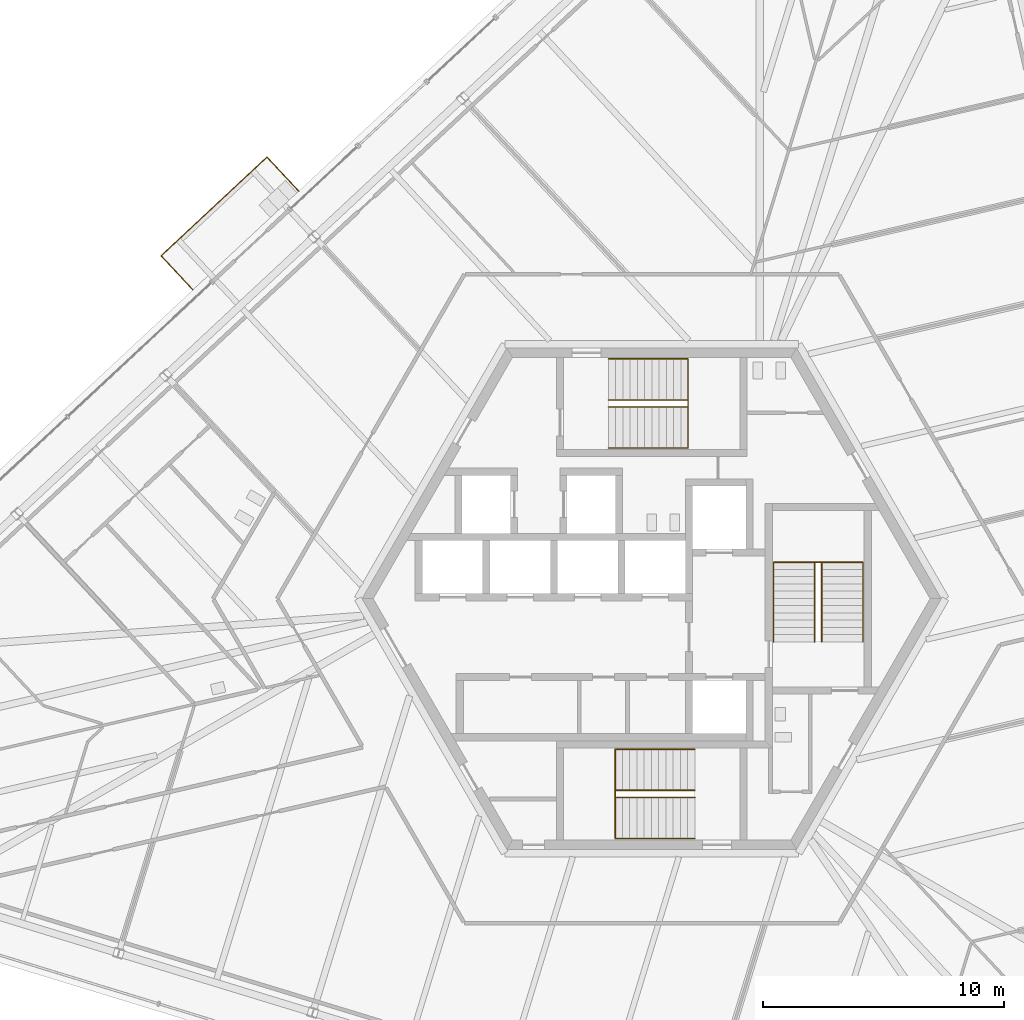
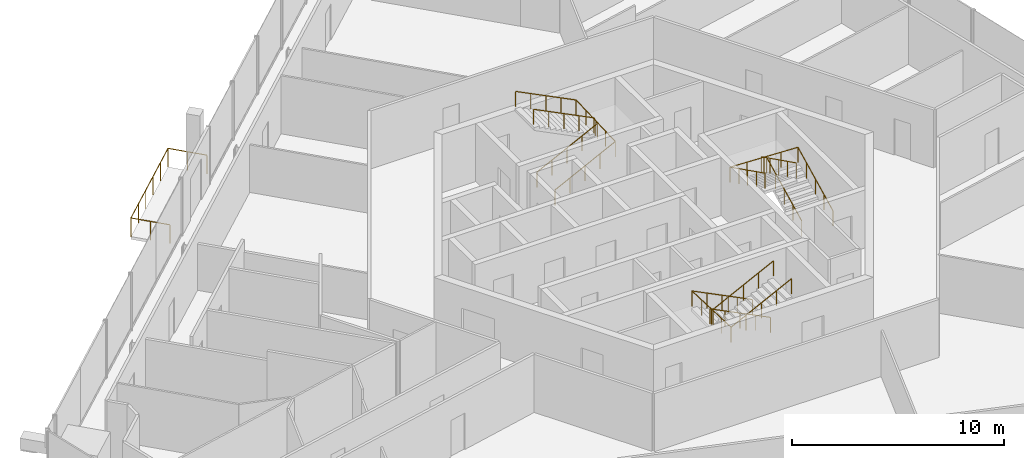
# One storey, part 22 of 25: 7 railings.
"""IFC4 building model written with IfcOpenShell, lengths in metres."""

from ifc_helpers import new_model, si_unit, direction, frame, origin, origin_2d, place, context, subcontext, project, spatial, circle, extrude, source, transform, mapped, material, type_object, element, save


model = new_model("IFC4")

# Units and contexts
model_context = context("Model", 3, precision=1e-05, world=origin(), true_north=direction((0.0, 1.0)))
body_context = subcontext(model_context, "Body", "Model", "MODEL_VIEW")
ifc_project = project(units=[si_unit("LENGTHUNIT", "METRE"), si_unit("AREAUNIT", "SQUARE_METRE"), si_unit("VOLUMEUNIT", "CUBIC_METRE"), si_unit("PLANEANGLEUNIT", "RADIAN"), si_unit("MASSUNIT", "GRAM", prefix="KILO")], contexts=[model_context])

# Site, building, storey
site_placement = place(None, origin())
site = spatial("IfcSite", under=ifc_project, at=site_placement, CompositionType="ELEMENT")
building_placement = place(site_placement, origin())
building = spatial("IfcBuilding", under=site, at=building_placement, Name="Triune Harvest Tower", CompositionType="ELEMENT")
storey_placement = place(building_placement, frame((0.0, 0.0, 130.699951171875)))
storey = spatial("IfcBuildingStorey", under=building, at=storey_placement, Name="L33", CompositionType="ELEMENT", Elevation=130.699951171875)

# Railings
ifc_material_1 = material(Name="Glass", Category="glass")
railing_type_1 = type_object("IfcRailingType", Name="GD-2 balcony guard 1100", PredefinedType="GUARDRAIL", material=ifc_material_1)
railing_1_placement = place(storey_placement, frame((-14.622802734375, 16.888427734375, 0.0)))
element("IfcRailing", 1, at=railing_1_placement, inside=storey, type_object=railing_type_1, Name="Balcony guard B3-F3 L33.7", PredefinedType="GUARDRAIL", context=body_context, shape_type="SweptSolid", body=[
    extrude(circle(Radius=0.02392578125, at=origin_2d()), frame((0.0, 0.0, 1.076171875), z_axis=(-0.682093027089, 0.731265411733, 0.0), x_axis=(-0.731265411733, -0.682093027089, 0.0)), (0.0, 0.0, 1.0), 1.931396484375),
    extrude(circle(Radius=0.02392578125, at=origin_2d()), frame((-1.3173828125, 1.412353515625, 1.076171875), z_axis=(-0.731355602234, -0.681996321897, 0.0), x_axis=(0.681996321897, -0.731355602234, 0.0)), (0.0, 0.0, 1.0), 5.999755859375),
    extrude(circle(Radius=0.02392578125, at=origin_2d()), frame((-5.705322265625, -2.679443359375, 1.076171875), z_axis=(0.681962370145, -0.731387261105, 0.0), x_axis=(0.731387261105, 0.681962370145, 0.0)), (0.0, 0.0, 1.0), 1.931396484375),
    extrude(circle(Radius=0.02099609375, at=origin_2d()), origin(), (0.0, 0.0, 1.0), 1.052001953125),
    extrude(circle(Radius=0.02099609375, at=origin_2d()), frame((-0.65869140625, 0.7060546875, 0.0)), (0.0, 0.0, 1.0), 1.052001953125),
    extrude(circle(Radius=0.02099609375, at=origin_2d()), frame((-1.3173828125, 1.412353515625, 0.0)), (0.0, 0.0, 1.0), 1.052001953125),
    extrude(circle(Radius=0.02099609375, at=origin_2d()), frame((-2.195068359375, 0.593994140625, 0.0)), (0.0, 0.0, 1.0), 1.052001953125),
    extrude(circle(Radius=0.02099609375, at=origin_2d()), frame((-3.072509765625, -0.224365234375, 0.0)), (0.0, 0.0, 1.0), 1.052001953125),
    extrude(circle(Radius=0.02099609375, at=origin_2d()), frame((-3.9501953125, -1.042724609375, 0.0)), (0.0, 0.0, 1.0), 1.052001953125),
    extrude(circle(Radius=0.02099609375, at=origin_2d()), frame((-4.82763671875, -1.861083984375, 0.0)), (0.0, 0.0, 1.0), 1.052001953125),
    extrude(circle(Radius=0.02099609375, at=origin_2d()), frame((-5.705322265625, -2.679443359375, 0.0)), (0.0, 0.0, 1.0), 1.052001953125),
    extrude(circle(Radius=0.02099609375, at=origin_2d()), frame((-5.046875, -3.3857421875, 0.0)), (0.0, 0.0, 1.0), 1.052001953125),
    extrude(circle(Radius=0.02099609375, at=origin_2d()), frame((-4.38818359375, -4.092041015625, 0.0)), (0.0, 0.0, 1.0), 1.052001953125),
])
ifc_material_2 = material(Name="Stainless steel AISI 316", Category="steel")
railing_type_2 = type_object("IfcRailingType", Name="Stair handrail", PredefinedType="HANDRAIL", material=ifc_material_2)
shared_shape_1 = source(origin(), body_context, "Body", "SweptSolid", [
    extrude(circle(Radius=0.02392578125, at=origin_2d()), frame((0.0, 0.0, 0.8759765625), z_axis=(0.894440424912, 0.0, 0.447187126696), x_axis=(0.0, 1.0, 0.0)), (0.0, 0.0, 1.0), 3.689453125),
    extrude(circle(Radius=0.02392578125, at=origin_2d()), frame((3.300048828125, 0.0, 2.52587890625), z_axis=(0.0, 0.999180289278, 0.040481471304), x_axis=(-1.0, 0.0, 0.0)), (0.0, 0.0, 1.0), 3.702880859375),
    extrude(circle(Radius=0.02392578125, at=origin_2d()), frame((3.300048828125, 3.699951171875, 2.67578125), z_axis=(-0.894413956696, 0.0, 0.447240063129), x_axis=(0.0, -1.0, 0.0)), (0.0, 0.0, 1.0), 3.689697265625),
    extrude(circle(Radius=0.02099609375, at=origin_2d()), origin(), (0.0, 0.0, 1.0), 0.851806640625),
    extrude(circle(Radius=0.02099609375, at=origin_2d()), frame((0.824951171875, 0.0, 0.41259765625)), (0.0, 0.0, 1.0), 0.851806640625),
    extrude(circle(Radius=0.02099609375, at=origin_2d()), frame((1.64990234375, 0.0, 0.824951171875)), (0.0, 0.0, 1.0), 0.851806640625),
    extrude(circle(Radius=0.02099609375, at=origin_2d()), frame((2.47509765625, 0.0, 1.2373046875)), (0.0, 0.0, 1.0), 0.851806640625),
    extrude(circle(Radius=0.02099609375, at=origin_2d()), frame((3.300048828125, 0.0, 1.64990234375)), (0.0, 0.0, 1.0), 0.851806640625),
    extrude(circle(Radius=0.02099609375, at=origin_2d()), frame((3.300048828125, 0.925048828125, 1.6875)), (0.0, 0.0, 1.0), 0.851806640625),
    extrude(circle(Radius=0.02099609375, at=origin_2d()), frame((3.300048828125, 1.85009765625, 1.724853515625)), (0.0, 0.0, 1.0), 0.851806640625),
    extrude(circle(Radius=0.02099609375, at=origin_2d()), frame((3.300048828125, 2.77490234375, 1.76220703125)), (0.0, 0.0, 1.0), 0.851806640625),
    extrude(circle(Radius=0.02099609375, at=origin_2d()), frame((3.300048828125, 3.699951171875, 1.7998046875)), (0.0, 0.0, 1.0), 0.851806640625),
    extrude(circle(Radius=0.02099609375, at=origin_2d()), frame((2.47509765625, 3.699951171875, 2.21240234375)), (0.0, 0.0, 1.0), 0.851806640625),
    extrude(circle(Radius=0.02099609375, at=origin_2d()), frame((1.64990234375, 3.699951171875, 2.625)), (0.0, 0.0, 1.0), 0.851806640625),
    extrude(circle(Radius=0.02099609375, at=origin_2d()), frame((0.824951171875, 3.699951171875, 3.037353515625)), (0.0, 0.0, 1.0), 0.851806640625),
    extrude(circle(Radius=0.02099609375, at=origin_2d()), frame((0.0, 3.699951171875, 3.449951171875)), (0.0, 0.0, 1.0), 0.851806640625),
])
railing_2_placement = place(storey_placement, frame((-1.7900390625, 6.239990234375, 0.150146484375)))
element("IfcRailing", 2, at=railing_2_placement, inside=storey, type_object=railing_type_2, Name="Exit stair north wall handrail", PredefinedType="HANDRAIL", context=body_context, shape_type="MappedRepresentation", body=[
    mapped(shared_shape_1, transform((0.0, 0.0, 0.0), scale=1.0)),
])
shared_shape_2 = source(origin(), body_context, "Body", "SweptSolid", [
    extrude(circle(Radius=0.02392578125, at=origin_2d()), frame((0.0, 0.0, 0.8759765625), z_axis=(0.894440424912, 0.0, 0.447187126696), x_axis=(0.0, 1.0, 0.0)), (0.0, 0.0, 1.0), 3.689453125),
    extrude(circle(Radius=0.02392578125, at=origin_2d()), frame((3.300048828125, 0.0, 2.52587890625), z_axis=(0.0, 0.894572720946, 0.446922417137), x_axis=(-1.0, 0.0, 0.0)), (0.0, 0.0, 1.0), 0.33544921875),
    extrude(circle(Radius=0.02392578125, at=origin_2d()), frame((3.300048828125, 0.300048828125, 2.67578125), z_axis=(-0.894413956696, 0.0, 0.447240063129), x_axis=(0.0, -1.0, 0.0)), (0.0, 0.0, 1.0), 3.689697265625),
    extrude(circle(Radius=0.02099609375, at=origin_2d()), origin(), (0.0, 0.0, 1.0), 0.851806640625),
    extrude(circle(Radius=0.02099609375, at=origin_2d()), frame((0.824951171875, 0.0, 0.41259765625)), (0.0, 0.0, 1.0), 0.851806640625),
    extrude(circle(Radius=0.02099609375, at=origin_2d()), frame((1.64990234375, 0.0, 0.824951171875)), (0.0, 0.0, 1.0), 0.851806640625),
    extrude(circle(Radius=0.02099609375, at=origin_2d()), frame((2.47509765625, 0.0, 1.2373046875)), (0.0, 0.0, 1.0), 0.851806640625),
    extrude(circle(Radius=0.02099609375, at=origin_2d()), frame((3.300048828125, 0.0, 1.64990234375)), (0.0, 0.0, 1.0), 0.851806640625),
    extrude(circle(Radius=0.02099609375, at=origin_2d()), frame((3.300048828125, 0.300048828125, 1.7998046875)), (0.0, 0.0, 1.0), 0.851806640625),
    extrude(circle(Radius=0.02099609375, at=origin_2d()), frame((2.47509765625, 0.300048828125, 2.21240234375)), (0.0, 0.0, 1.0), 0.851806640625),
    extrude(circle(Radius=0.02099609375, at=origin_2d()), frame((1.64990234375, 0.300048828125, 2.625)), (0.0, 0.0, 1.0), 0.851806640625),
    extrude(circle(Radius=0.02099609375, at=origin_2d()), frame((0.824951171875, 0.300048828125, 3.037353515625)), (0.0, 0.0, 1.0), 0.851806640625),
    extrude(circle(Radius=0.02099609375, at=origin_2d()), frame((0.0, 0.300048828125, 3.449951171875)), (0.0, 0.0, 1.0), 0.851806640625),
])
railing_3_placement = place(storey_placement, frame((-1.7900390625, 7.93994140625, 0.150146484375)))
element("IfcRailing", 3, at=railing_3_placement, inside=storey, type_object=railing_type_2, Name="Exit stair north centre handrail", PredefinedType="HANDRAIL", context=body_context, shape_type="MappedRepresentation", body=[
    mapped(shared_shape_2, transform((0.0, 0.0, 0.0), scale=1.0)),
])
shared_shape_3 = source(origin(), body_context, "Body", "SweptSolid", [
    extrude(circle(Radius=0.02392578125, at=origin_2d()), frame((0.0, 0.0, 0.8759765625), z_axis=(-0.894440424912, 0.0, 0.447187126696), x_axis=(0.0, -1.0, 0.0)), (0.0, 0.0, 1.0), 3.689453125),
    extrude(circle(Radius=0.02392578125, at=origin_2d()), frame((-3.300048828125, 0.0, 2.52587890625), z_axis=(0.0, -0.999180289278, 0.040481471304), x_axis=(1.0, 0.0, 0.0)), (0.0, 0.0, 1.0), 3.702880859375),
    extrude(circle(Radius=0.02392578125, at=origin_2d()), frame((-3.300048828125, -3.699951171875, 2.67578125), z_axis=(0.894413956696, 0.0, 0.447240063129), x_axis=(0.0, 1.0, 0.0)), (0.0, 0.0, 1.0), 3.689697265625),
    extrude(circle(Radius=0.02099609375, at=origin_2d()), origin(), (0.0, 0.0, 1.0), 0.851806640625),
    extrude(circle(Radius=0.02099609375, at=origin_2d()), frame((-0.824951171875, 0.0, 0.41259765625)), (0.0, 0.0, 1.0), 0.851806640625),
    extrude(circle(Radius=0.02099609375, at=origin_2d()), frame((-1.64990234375, 0.0, 0.824951171875)), (0.0, 0.0, 1.0), 0.851806640625),
    extrude(circle(Radius=0.02099609375, at=origin_2d()), frame((-2.47509765625, 0.0, 1.2373046875)), (0.0, 0.0, 1.0), 0.851806640625),
    extrude(circle(Radius=0.02099609375, at=origin_2d()), frame((-3.300048828125, 0.0, 1.64990234375)), (0.0, 0.0, 1.0), 0.851806640625),
    extrude(circle(Radius=0.02099609375, at=origin_2d()), frame((-3.300048828125, -0.925048828125, 1.6875)), (0.0, 0.0, 1.0), 0.851806640625),
    extrude(circle(Radius=0.02099609375, at=origin_2d()), frame((-3.300048828125, -1.85009765625, 1.724853515625)), (0.0, 0.0, 1.0), 0.851806640625),
    extrude(circle(Radius=0.02099609375, at=origin_2d()), frame((-3.300048828125, -2.77490234375, 1.76220703125)), (0.0, 0.0, 1.0), 0.851806640625),
    extrude(circle(Radius=0.02099609375, at=origin_2d()), frame((-3.300048828125, -3.699951171875, 1.7998046875)), (0.0, 0.0, 1.0), 0.851806640625),
    extrude(circle(Radius=0.02099609375, at=origin_2d()), frame((-2.47509765625, -3.699951171875, 2.21240234375)), (0.0, 0.0, 1.0), 0.851806640625),
    extrude(circle(Radius=0.02099609375, at=origin_2d()), frame((-1.64990234375, -3.699951171875, 2.625)), (0.0, 0.0, 1.0), 0.851806640625),
    extrude(circle(Radius=0.02099609375, at=origin_2d()), frame((-0.824951171875, -3.699951171875, 3.037353515625)), (0.0, 0.0, 1.0), 0.851806640625),
    extrude(circle(Radius=0.02099609375, at=origin_2d()), frame((0.0, -3.699951171875, 3.449951171875)), (0.0, 0.0, 1.0), 0.851806640625),
])
railing_4_placement = place(storey_placement, frame((1.7900390625, -6.239990234375, 0.150146484375)))
element("IfcRailing", 4, at=railing_4_placement, inside=storey, type_object=railing_type_2, Name="Exit stair south wall handrail", PredefinedType="HANDRAIL", context=body_context, shape_type="MappedRepresentation", body=[
    mapped(shared_shape_3, transform((0.0, 0.0, 0.0), scale=1.0)),
])
shared_shape_4 = source(origin(), body_context, "Body", "SweptSolid", [
    extrude(circle(Radius=0.02392578125, at=origin_2d()), frame((0.0, 0.0, 0.8759765625), z_axis=(-0.894440424912, 0.0, 0.447187126696), x_axis=(0.0, -1.0, 0.0)), (0.0, 0.0, 1.0), 3.689453125),
    extrude(circle(Radius=0.02392578125, at=origin_2d()), frame((-3.300048828125, 0.0, 2.52587890625), z_axis=(0.0, -0.894572720946, 0.446922417137), x_axis=(1.0, 0.0, 0.0)), (0.0, 0.0, 1.0), 0.33544921875),
    extrude(circle(Radius=0.02392578125, at=origin_2d()), frame((-3.300048828125, -0.300048828125, 2.67578125), z_axis=(0.894413956696, 0.0, 0.447240063129), x_axis=(0.0, 1.0, 0.0)), (0.0, 0.0, 1.0), 3.689697265625),
    extrude(circle(Radius=0.02099609375, at=origin_2d()), origin(), (0.0, 0.0, 1.0), 0.851806640625),
    extrude(circle(Radius=0.02099609375, at=origin_2d()), frame((-0.824951171875, 0.0, 0.41259765625)), (0.0, 0.0, 1.0), 0.851806640625),
    extrude(circle(Radius=0.02099609375, at=origin_2d()), frame((-1.64990234375, 0.0, 0.824951171875)), (0.0, 0.0, 1.0), 0.851806640625),
    extrude(circle(Radius=0.02099609375, at=origin_2d()), frame((-2.47509765625, 0.0, 1.2373046875)), (0.0, 0.0, 1.0), 0.851806640625),
    extrude(circle(Radius=0.02099609375, at=origin_2d()), frame((-3.300048828125, 0.0, 1.64990234375)), (0.0, 0.0, 1.0), 0.851806640625),
    extrude(circle(Radius=0.02099609375, at=origin_2d()), frame((-3.300048828125, -0.300048828125, 1.7998046875)), (0.0, 0.0, 1.0), 0.851806640625),
    extrude(circle(Radius=0.02099609375, at=origin_2d()), frame((-2.47509765625, -0.300048828125, 2.21240234375)), (0.0, 0.0, 1.0), 0.851806640625),
    extrude(circle(Radius=0.02099609375, at=origin_2d()), frame((-1.64990234375, -0.300048828125, 2.625)), (0.0, 0.0, 1.0), 0.851806640625),
    extrude(circle(Radius=0.02099609375, at=origin_2d()), frame((-0.824951171875, -0.300048828125, 3.037353515625)), (0.0, 0.0, 1.0), 0.851806640625),
    extrude(circle(Radius=0.02099609375, at=origin_2d()), frame((0.0, -0.300048828125, 3.449951171875)), (0.0, 0.0, 1.0), 0.851806640625),
])
railing_5_placement = place(storey_placement, frame((1.7900390625, -7.93994140625, 0.150146484375)))
element("IfcRailing", 5, at=railing_5_placement, inside=storey, type_object=railing_type_2, Name="Exit stair south centre handrail", PredefinedType="HANDRAIL", context=body_context, shape_type="MappedRepresentation", body=[
    mapped(shared_shape_4, transform((0.0, 0.0, 0.0), scale=1.0)),
])
shared_shape_5 = source(origin(), body_context, "Body", "SweptSolid", [
    extrude(circle(Radius=0.02392578125, at=origin_2d()), frame((0.0, 0.0, 0.8759765625), z_axis=(0.0, 0.894440424912, 0.447187126696), x_axis=(-1.0, 0.0, 0.0)), (0.0, 0.0, 1.0), 3.689453125),
    extrude(circle(Radius=0.02392578125, at=origin_2d()), frame((0.0, 3.300048828125, 2.52587890625), z_axis=(-0.999180289278, 0.0, 0.040481471304), x_axis=(0.0, -1.0, 0.0)), (0.0, 0.0, 1.0), 3.702880859375),
    extrude(circle(Radius=0.02392578125, at=origin_2d()), frame((-3.699951171875, 3.300048828125, 2.67578125), z_axis=(0.0, -0.894413956696, 0.447240063129), x_axis=(1.0, 0.0, 0.0)), (0.0, 0.0, 1.0), 3.689697265625),
    extrude(circle(Radius=0.02099609375, at=origin_2d()), origin(), (0.0, 0.0, 1.0), 0.851806640625),
    extrude(circle(Radius=0.02099609375, at=origin_2d()), frame((0.0, 0.824951171875, 0.41259765625)), (0.0, 0.0, 1.0), 0.851806640625),
    extrude(circle(Radius=0.02099609375, at=origin_2d()), frame((0.0, 1.64990234375, 0.824951171875)), (0.0, 0.0, 1.0), 0.851806640625),
    extrude(circle(Radius=0.02099609375, at=origin_2d()), frame((0.0, 2.47509765625, 1.2373046875)), (0.0, 0.0, 1.0), 0.851806640625),
    extrude(circle(Radius=0.02099609375, at=origin_2d()), frame((0.0, 3.300048828125, 1.64990234375)), (0.0, 0.0, 1.0), 0.851806640625),
    extrude(circle(Radius=0.02099609375, at=origin_2d()), frame((-0.925048828125, 3.300048828125, 1.6875)), (0.0, 0.0, 1.0), 0.851806640625),
    extrude(circle(Radius=0.02099609375, at=origin_2d()), frame((-1.85009765625, 3.300048828125, 1.724853515625)), (0.0, 0.0, 1.0), 0.851806640625),
    extrude(circle(Radius=0.02099609375, at=origin_2d()), frame((-2.77490234375, 3.300048828125, 1.76220703125)), (0.0, 0.0, 1.0), 0.851806640625),
    extrude(circle(Radius=0.02099609375, at=origin_2d()), frame((-3.699951171875, 3.300048828125, 1.7998046875)), (0.0, 0.0, 1.0), 0.851806640625),
    extrude(circle(Radius=0.02099609375, at=origin_2d()), frame((-3.699951171875, 2.47509765625, 2.21240234375)), (0.0, 0.0, 1.0), 0.851806640625),
    extrude(circle(Radius=0.02099609375, at=origin_2d()), frame((-3.699951171875, 1.64990234375, 2.625)), (0.0, 0.0, 1.0), 0.851806640625),
    extrude(circle(Radius=0.02099609375, at=origin_2d()), frame((-3.699951171875, 0.824951171875, 3.037353515625)), (0.0, 0.0, 1.0), 0.851806640625),
    extrude(circle(Radius=0.02099609375, at=origin_2d()), frame((-3.699951171875, 0.0, 3.449951171875)), (0.0, 0.0, 1.0), 0.851806640625),
])
railing_6_placement = place(storey_placement, frame((8.75, -1.7900390625, 0.150146484375)))
element("IfcRailing", 6, at=railing_6_placement, inside=storey, type_object=railing_type_2, Name="Exit stair east wall handrail", PredefinedType="HANDRAIL", context=body_context, shape_type="MappedRepresentation", body=[
    mapped(shared_shape_5, transform((0.0, 0.0, 0.0), scale=1.0)),
])
shared_shape_6 = source(origin(), body_context, "Body", "SweptSolid", [
    extrude(circle(Radius=0.02392578125, at=origin_2d()), frame((0.0, 0.0, 0.8759765625), z_axis=(0.0, 0.894440424912, 0.447187126696), x_axis=(-1.0, 0.0, 0.0)), (0.0, 0.0, 1.0), 3.689453125),
    extrude(circle(Radius=0.02392578125, at=origin_2d()), frame((0.0, 3.300048828125, 2.52587890625), z_axis=(-0.894572720946, 0.0, 0.446922417137), x_axis=(0.0, -1.0, 0.0)), (0.0, 0.0, 1.0), 0.33544921875),
    extrude(circle(Radius=0.02392578125, at=origin_2d()), frame((-0.300048828125, 3.300048828125, 2.67578125), z_axis=(0.0, -0.894413956696, 0.447240063129), x_axis=(1.0, 0.0, 0.0)), (0.0, 0.0, 1.0), 3.689697265625),
    extrude(circle(Radius=0.02099609375, at=origin_2d()), origin(), (0.0, 0.0, 1.0), 0.851806640625),
    extrude(circle(Radius=0.02099609375, at=origin_2d()), frame((0.0, 0.824951171875, 0.41259765625)), (0.0, 0.0, 1.0), 0.851806640625),
    extrude(circle(Radius=0.02099609375, at=origin_2d()), frame((0.0, 1.64990234375, 0.824951171875)), (0.0, 0.0, 1.0), 0.851806640625),
    extrude(circle(Radius=0.02099609375, at=origin_2d()), frame((0.0, 2.47509765625, 1.2373046875)), (0.0, 0.0, 1.0), 0.851806640625),
    extrude(circle(Radius=0.02099609375, at=origin_2d()), frame((0.0, 3.300048828125, 1.64990234375)), (0.0, 0.0, 1.0), 0.851806640625),
    extrude(circle(Radius=0.02099609375, at=origin_2d()), frame((-0.300048828125, 3.300048828125, 1.7998046875)), (0.0, 0.0, 1.0), 0.851806640625),
    extrude(circle(Radius=0.02099609375, at=origin_2d()), frame((-0.300048828125, 2.47509765625, 2.21240234375)), (0.0, 0.0, 1.0), 0.851806640625),
    extrude(circle(Radius=0.02099609375, at=origin_2d()), frame((-0.300048828125, 1.64990234375, 2.625)), (0.0, 0.0, 1.0), 0.851806640625),
    extrude(circle(Radius=0.02099609375, at=origin_2d()), frame((-0.300048828125, 0.824951171875, 3.037353515625)), (0.0, 0.0, 1.0), 0.851806640625),
    extrude(circle(Radius=0.02099609375, at=origin_2d()), frame((-0.300048828125, 0.0, 3.449951171875)), (0.0, 0.0, 1.0), 0.851806640625),
])
railing_7_placement = place(storey_placement, frame((7.050048828125, -1.7900390625, 0.150146484375)))
element("IfcRailing", 7, at=railing_7_placement, inside=storey, type_object=railing_type_2, Name="Exit stair east centre handrail", PredefinedType="HANDRAIL", context=body_context, shape_type="MappedRepresentation", body=[
    mapped(shared_shape_6, transform((0.0, 0.0, 0.0), scale=1.0)),
])

save(model, "model.ifc")
